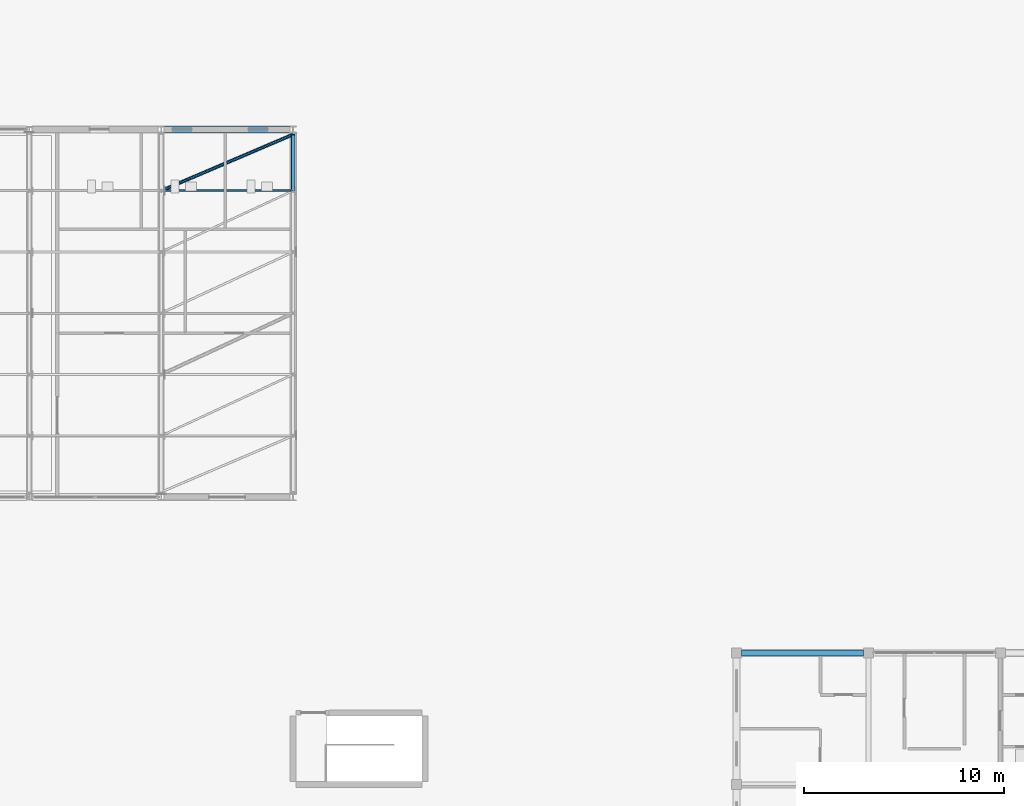
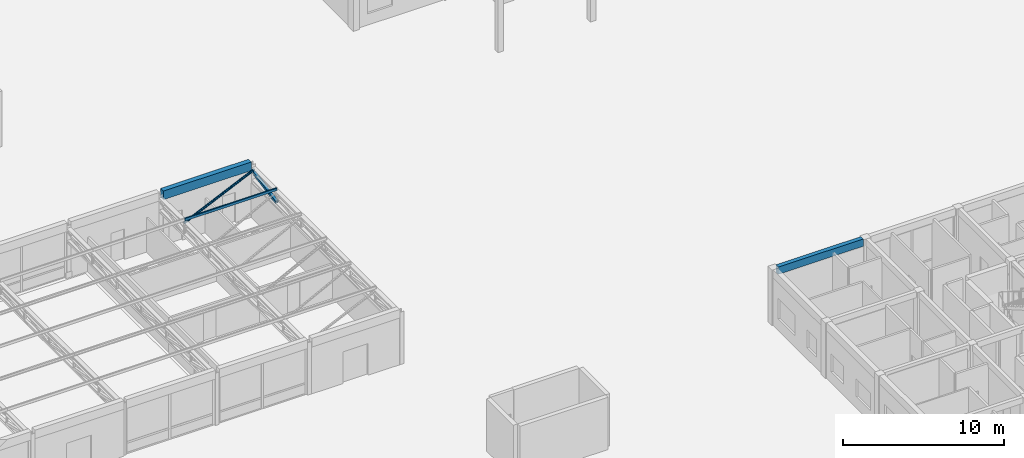
# One storey, part 30 of 92: 3 members, 2 beams.
"""IFC4 building model written with IfcOpenShell, lengths in metres."""

from ifc_helpers import new_model, si_unit, direction, frame, origin, origin_2d, place, context, subcontext, project, spatial, rectangle, hollow_rectangle, hollow_circle, extrude, material, material_profile, profile_set, type_object, element, save


model = new_model("IFC4")

# Units and contexts
model_context = context("Model", 3, precision=1e-05, world=origin(), true_north=direction((0.0, 1.0)))
body_context = subcontext(model_context, "Body", "Model", "MODEL_VIEW")
ifc_project = project(units=[si_unit("LENGTHUNIT", "METRE"), si_unit("AREAUNIT", "SQUARE_METRE"), si_unit("VOLUMEUNIT", "CUBIC_METRE"), si_unit("PLANEANGLEUNIT", "RADIAN"), si_unit("MASSUNIT", "GRAM", prefix="KILO")], contexts=[model_context])

# Site, building, storey
site_placement = place(None, origin())
site = spatial("IfcSite", under=ifc_project, at=site_placement, CompositionType="ELEMENT")
building_placement = place(site_placement, origin())
building = spatial("IfcBuilding", under=site, at=building_placement, Name="Kernevlak Ridge Housing Community", CompositionType="ELEMENT")
storey_placement = place(building_placement, frame((0.0, 0.0, 4.199951171875)))
storey = spatial("IfcBuildingStorey", under=building, at=storey_placement, Name="L01", CompositionType="ELEMENT", Elevation=4.199951171875)

# Beam
ifc_material_1 = material(Name="Concrete C35/45", Category="concrete")
ifc_material_profile_1 = material_profile(ifc_material_1, rectangle(XDim=0.35009765625, YDim=0.64990234375, at=origin_2d()), Name="RC 350x650")
ifc_profile_set_1 = profile_set([ifc_material_profile_1], Name="Concrete C35/45")
beam_type_1 = type_object("IfcBeamType", Name="B-02", PredefinedType="BEAM", material=ifc_profile_set_1)
beam_1_placement = place(storey_placement, frame((97.35009765625, 68.199951171875, 3.875), z_axis=(1.0, 0.0, 0.0), x_axis=(0.0, 1.0, 0.0)))
element("IfcBeam", 1, at=beam_1_placement, inside=storey, type_object=beam_type_1, Name="Beam B-02 L01 2418", PredefinedType="BEAM", context=body_context, shape_type="SweptSolid", body=[
    extrude(rectangle(XDim=0.35009765625, YDim=0.64990234375, at=origin_2d()), origin(), (0.0, 0.0, 1.0), 6.2998046875),
])

# Members
ifc_material_2 = material(Name="Steel S355", Category="steel")
ifc_material_profile_2 = material_profile(ifc_material_2, hollow_rectangle(XDim=0.199951171875, YDim=0.199951171875, WallThickness=0.010009765625, InnerFilletRadius=0.010009765625, OuterFilletRadius=0.014892578125, at=origin_2d()), Name="SHS 200x200x10")
ifc_profile_set_2 = profile_set([ifc_material_profile_2], Name="Steel S355")
member_type_1 = type_object("IfcMemberType", Name="BR-01", PredefinedType="BRACE", material=ifc_profile_set_2)
member_1_placement = place(storey_placement, frame((103.800048828125, 65.13330078125, 2.864990234375), z_axis=(0.0, 0.98177933846, 0.190024552551), x_axis=(-1.0, 0.0, 0.0)))
element("IfcMember", 2, at=member_1_placement, inside=storey, type_object=member_type_1, Name="Community Hall roof truss 7 web diagonal 6", PredefinedType="BRACE", context=body_context, shape_type="SweptSolid", body=[
    extrude(hollow_rectangle(XDim=0.199951171875, YDim=0.199951171875, WallThickness=0.010009765625, InnerFilletRadius=0.010009765625, OuterFilletRadius=0.014892578125, at=origin_2d()), origin(), (0.0, 0.0, 1.0), 2.868896484375),
])
ifc_material_profile_3 = material_profile(ifc_material_2, hollow_circle(Radius=0.084228515625, WallThickness=0.008056640625, at=origin_2d()), Name="CHS 168.3x8")
ifc_profile_set_3 = profile_set([ifc_material_profile_3], Name="Steel S355")
member_type_2 = type_object("IfcMemberType", Name="BR-08", PredefinedType="BRACE", material=ifc_profile_set_3)
member_2_placement = place(storey_placement, frame((97.199951171875, 65.13330078125, 3.625), z_axis=(0.919747546099, 0.39251044756, 0.0), x_axis=(-0.39251044756, 0.919747546099, 0.0)))
element("IfcMember", 3, at=member_2_placement, inside=storey, type_object=member_type_2, Name="Roof lateral wind brace 6.6", PredefinedType="BRACE", context=body_context, shape_type="SweptSolid", body=[
    extrude(hollow_circle(Radius=0.084228515625, WallThickness=0.008056640625, at=origin_2d()), origin(), (0.0, 0.0, 1.0), 7.176025390625),
])
ifc_material_profile_4 = material_profile(ifc_material_2, hollow_rectangle(XDim=0.10009765625, YDim=0.199951171875, WallThickness=0.008056640625, InnerFilletRadius=0.008056640625, OuterFilletRadius=0.011962890625, at=origin_2d()), Name="RHS 200x100x8")
ifc_profile_set_4 = profile_set([ifc_material_profile_4], Name="Steel S355")
member_type_3 = type_object("IfcMemberType", Name="PU-05", PredefinedType="PURLIN", material=ifc_profile_set_4)
member_3_placement = place(storey_placement, frame((97.199951171875, 65.13330078125, 3.860107421875), z_axis=(1.0, 0.0, 0.0), x_axis=(0.0, 1.0, 0.0)))
element("IfcMember", 4, at=member_3_placement, inside=storey, type_object=member_type_3, Name="Community Hall steel roof purlin 6.6", PredefinedType="PURLIN", context=body_context, shape_type="SweptSolid", body=[
    extrude(hollow_rectangle(XDim=0.10009765625, YDim=0.199951171875, WallThickness=0.008056640625, InnerFilletRadius=0.008056640625, OuterFilletRadius=0.011962890625, at=origin_2d()), origin(), (0.0, 0.0, 1.0), 6.60009765625),
])

# Beam
ifc_material_profile_5 = material_profile(ifc_material_1, rectangle(XDim=0.300048828125, YDim=0.550048828125, at=origin_2d()), Name="RC 300x550")
ifc_profile_set_5 = profile_set([ifc_material_profile_5], Name="Concrete C35/45")
beam_type_2 = type_object("IfcBeamType", Name="SP-01", PredefinedType="SPANDREL", material=ifc_profile_set_5)
beam_2_placement = place(storey_placement, frame((126.25, 42.0, 3.925048828125), z_axis=(1.0, 0.0, 0.0), x_axis=(0.0, 1.0, 0.0)))
element("IfcBeam", 5, at=beam_2_placement, inside=storey, type_object=beam_type_2, Name="Beam SP-01 L01 1043", PredefinedType="SPANDREL", context=body_context, shape_type="SweptSolid", body=[
    extrude(rectangle(XDim=0.300048828125, YDim=0.550048828125, at=origin_2d()), origin(), (0.0, 0.0, 1.0), 6.10009765625),
])

save(model, "model.ifc")
